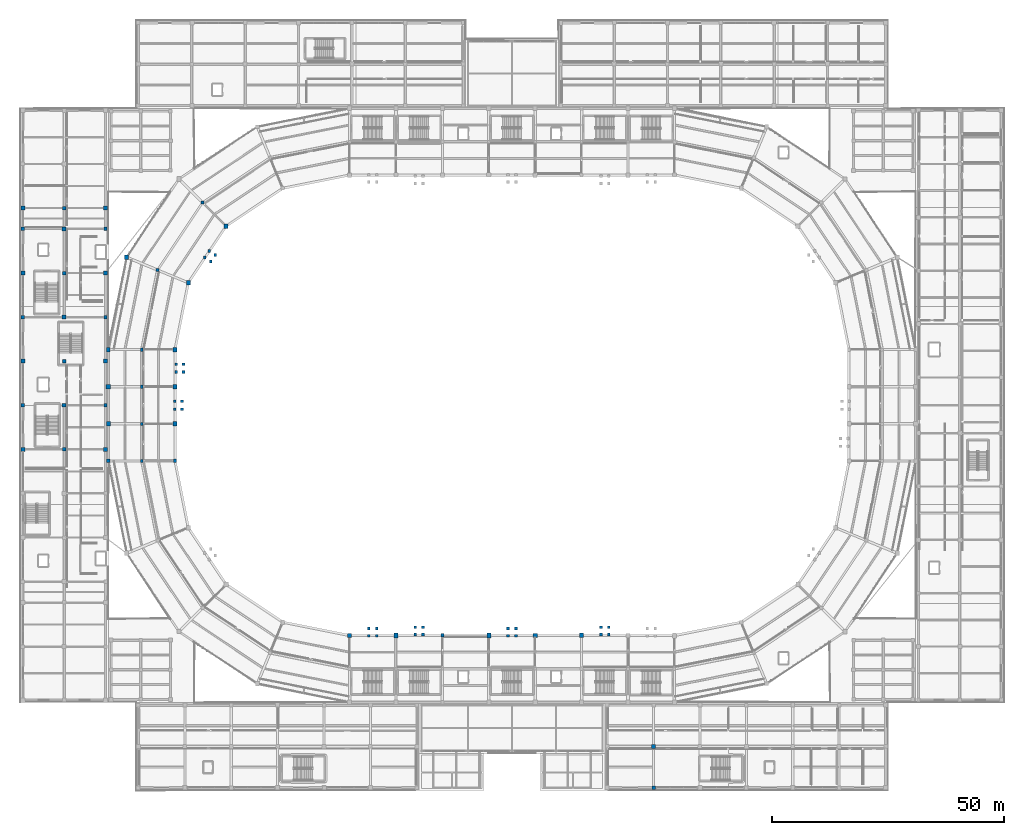
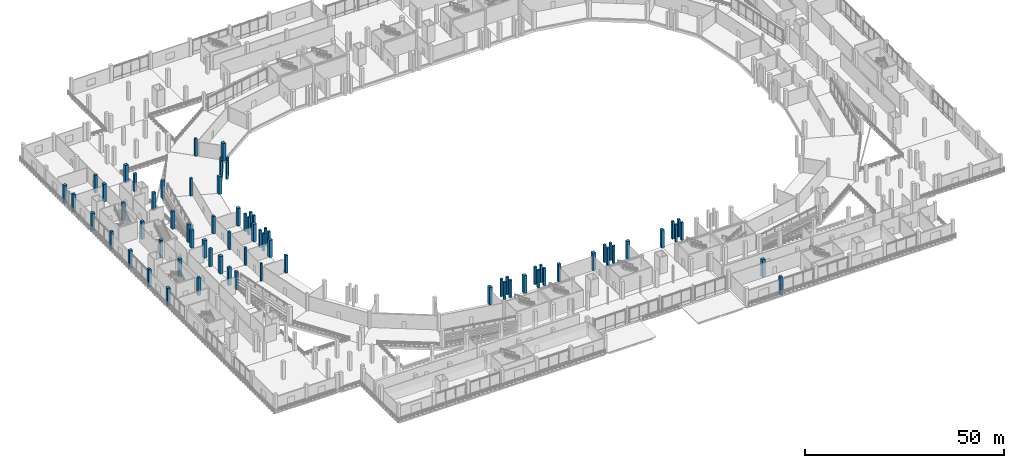
# One storey, part 4 of 114: 74 columns.
"""IFC4 building model written with IfcOpenShell, lengths in metres."""

import ifcopenshell
import ifcopenshell.guid

model = None  # the IFC model being written
_history = None  # IfcOwnerHistory: only IFC2X3 demands one
_inside = {}  # id of a spatial element -> (the spatial element, [elements in it])
_under = {}  # id of a project, library or spatial element -> (it, [spatial elements below it])
_declared = {}  # id of a project -> (the project, [libraries it declares])
_typed = {}  # id of a type object -> (the type object, [elements of that type])
_made_of = {}  # id of a material, layer set ... -> (it, [elements and type objects made of it])


def new_model(schema):
    """Start an empty IFC model of exactly this schema.

    Asked for "IFC4X3", IfcOpenShell would pick the latest addendum, in which some entities
    have other attributes; the version numbers below select the first issue.
    IFC2X3 requires an IfcOwnerHistory on every rooted entity: one is made here for all.
    """
    global model, _history
    if schema == "IFC4X3":
        model = ifcopenshell.file(schema_version=(4, 3, 0, 0))
    else:
        model = ifcopenshell.file(schema=schema)
    _inside.clear()
    _under.clear()
    _declared.clear()
    _typed.clear()
    _made_of.clear()
    _history = None
    if model.schema == "IFC2X3":
        org = make("IfcOrganization", Name="unknown")
        user = make(
            "IfcPersonAndOrganization",
            ThePerson=make("IfcPerson", FamilyName="unknown"),
            TheOrganization=org,
        )
        app = make(
            "IfcApplication",
            ApplicationDeveloper=org,
            Version="unknown",
            ApplicationFullName="unknown",
            ApplicationIdentifier="unknown",
        )
        _history = make(
            "IfcOwnerHistory",
            OwningUser=user,
            OwningApplication=app,
            ChangeAction="ADDED",
            CreationDate=0,
        )
    return model


def make(cls, **values):
    """One entity of the class cls with the attributes given. An attribute that is None is left unset."""
    return model.create_entity(
        cls, **{name: value for name, value in values.items() if value is not None}
    )


def rooted(cls, **values):
    """An entity with a GlobalId (a new one), such as an element, a storey or a relation."""
    return make(cls, GlobalId=ifcopenshell.guid.new(), OwnerHistory=_history, **values)


def si_unit(unit_type, name, prefix=None):
    """IfcSIUnit, for example si_unit("LENGTHUNIT", "METRE", prefix="MILLI")."""
    return make("IfcSIUnit", UnitType=unit_type, Prefix=prefix, Name=name)


def assignment(units):
    """IfcUnitAssignment: the units of a project."""
    return None if units is None else make("IfcUnitAssignment", Units=units)


def point(xyz):
    """IfcCartesianPoint."""
    return None if xyz is None else make("IfcCartesianPoint", Coordinates=xyz)


def direction(xyz):
    """IfcDirection."""
    return None if xyz is None else make("IfcDirection", DirectionRatios=xyz)


def frame(location, z_axis=None, x_axis=None):
    """IfcAxis2Placement3D, a coordinate frame: its origin and axes. An axis left out is left unset."""
    return make(
        "IfcAxis2Placement3D",
        Location=point(location),
        Axis=direction(z_axis),
        RefDirection=direction(x_axis),
    )


def frame_2d(location, x_axis=None):
    """IfcAxis2Placement2D, a coordinate frame in the plane: its origin and x axis."""
    return make(
        "IfcAxis2Placement2D", Location=point(location), RefDirection=direction(x_axis)
    )


def origin():
    """The frame at (0, 0, 0) with its axes left unset."""
    return frame((0.0, 0.0, 0.0))


def origin_2d():
    """The frame at (0, 0) in the plane with its x axis left unset."""
    return frame_2d((0.0, 0.0))


def place(relative_to, where):
    """IfcLocalPlacement: puts the frame where relative to a parent placement (None: the world)."""
    return make(
        "IfcLocalPlacement", PlacementRelTo=relative_to, RelativePlacement=where
    )


def context(
    kind, dimensions, precision=None, world=None, true_north=None, identifier=None
):
    """IfcGeometricRepresentationContext, for example the 3D "Model" context."""
    return make(
        "IfcGeometricRepresentationContext",
        ContextIdentifier=identifier,
        ContextType=kind,
        CoordinateSpaceDimension=dimensions,
        Precision=precision,
        WorldCoordinateSystem=world,
        TrueNorth=true_north,
    )


def subcontext(parent, identifier, kind, view, scale=None):
    """IfcGeometricRepresentationSubContext, for example "Body" below "Model"."""
    return make(
        "IfcGeometricRepresentationSubContext",
        ContextIdentifier=identifier,
        ContextType=kind,
        ParentContext=parent,
        TargetScale=scale,
        TargetView=view,
    )


def project(units=None, contexts=None):
    """IfcProject with its units and contexts."""
    return rooted(
        "IfcProject",
        Name="project",
        RepresentationContexts=contexts,
        UnitsInContext=assignment(units),
    )


def spatial(cls, under=None, at=None, **own):
    """A site, building, storey or space (cls), placed at a placement, below another one or the project."""
    s = rooted(cls, ObjectPlacement=at, **own)
    if under is not None:
        _under.setdefault(under.id(), (under, []))[1].append(s)
    return s


def profile(cls, at=None, kind="AREA", **sizes):
    """A parametric profile (cls). Its sizes go by their IFC names, for example OverallWidth=200.0."""
    return make(cls, ProfileType=kind, Position=at, **sizes)


def rectangle(**sizes):
    """IfcRectangleProfileDef."""
    return profile("IfcRectangleProfileDef", **sizes)


def extrude(swept, where, along, depth):
    """IfcExtrudedAreaSolid: the profile swept, set in the frame where, extruded along a direction by depth."""
    return make(
        "IfcExtrudedAreaSolid",
        SweptArea=swept,
        Position=where,
        ExtrudedDirection=direction(along),
        Depth=depth,
    )


def shape(context_of_items, identifier, shape_type, items):
    """IfcShapeRepresentation: the items that make up one representation, for example the "Body"."""
    return make(
        "IfcShapeRepresentation",
        ContextOfItems=context_of_items,
        RepresentationIdentifier=identifier,
        RepresentationType=shape_type,
        Items=items,
    )


def material(Name=None, Category=None):
    """IfcMaterial."""
    return make("IfcMaterial", Name=Name, Category=Category)


def material_profile(
    of_material, cross_section, Name=None, Category=None, Priority=None
):
    """IfcMaterialProfile: a cross section and its material."""
    return make(
        "IfcMaterialProfile",
        Name=Name,
        Material=of_material,
        Profile=cross_section,
        Priority=Priority,
        Category=Category,
    )


def profile_set(profiles, Name=None, composite=None):
    """IfcMaterialProfileSet."""
    return make(
        "IfcMaterialProfileSet",
        Name=Name,
        MaterialProfiles=profiles,
        CompositeProfile=composite,
    )


def made_of(thing, what):
    """Note that an element or type object is made of a material, layer set ...; save() writes the relation."""
    if what is not None:
        _made_of.setdefault(what.id(), (what, []))[1].append(thing)
    return thing


def type_object(cls, material=None, **own):
    """A type object (cls), such as IfcWallType, which elements share."""
    return made_of(rooted(cls, **own), material)


def element(
    cls,
    number,
    at=None,
    inside=None,
    cuts=None,
    type_object=None,
    material=None,
    context=None,
    identifier="Body",
    shape_type=None,
    held_by="IfcProductDefinitionShape",
    body=None,
    shapes=None,
    **own,
):
    """One element of the class cls, such as IfcWall. Its Tag is "e" and its number.

    at: its placement. inside: the storey or other place that contains it. cuts: it is an
    opening in that element (IfcRelVoidsElement). A single representation is given by context,
    identifier, shape_type and body (its items); several are given by shapes. held_by: the class
    of the entity that holds the representations. save() writes the other relations.
    """
    e = rooted(cls, Tag="e%d" % number, ObjectPlacement=at, **own)
    if body is not None:
        shapes = [shape(context, identifier, shape_type, body)]
    if shapes is not None:
        e.Representation = make(held_by, Representations=shapes)
    if inside is not None:
        _inside.setdefault(inside.id(), (inside, []))[1].append(e)
    if cuts is not None:
        rooted(
            "IfcRelVoidsElement", RelatingBuildingElement=cuts, RelatedOpeningElement=e
        )
    if type_object is not None:
        _typed.setdefault(type_object.id(), (type_object, []))[1].append(e)
    return made_of(e, material)


def aggregate(whole, parts):
    """IfcRelAggregates: a whole, such as a stair, and the parts it consists of."""
    return rooted("IfcRelAggregates", RelatingObject=whole, RelatedObjects=parts)


def save(model, path):
    """Write the relations noted so far, then the file.

    IfcRelAggregates (storeys below a building ...), IfcRelContainedInSpatialStructure (elements
    in a storey), IfcRelDefinesByType, IfcRelAssociatesMaterial and IfcRelDeclares: one each for
    every whole, place, type object, material and project.
    """
    for whole, parts in _under.values():
        aggregate(whole, parts)
    for where, things in _inside.values():
        rooted(
            "IfcRelContainedInSpatialStructure",
            RelatedElements=things,
            RelatingStructure=where,
        )
    for kind, things in _typed.values():
        rooted("IfcRelDefinesByType", RelatedObjects=things, RelatingType=kind)
    for what, things in _made_of.values():
        rooted("IfcRelAssociatesMaterial", RelatedObjects=things, RelatingMaterial=what)
    for by, libraries in _declared.values():
        rooted("IfcRelDeclares", RelatingContext=by, RelatedDefinitions=libraries)
    model.write(path)


model = new_model("IFC4")

# Units and contexts
model_context = context("Model", 3, precision=1e-05, world=origin(), true_north=direction((0.0, 1.0)))
body_context = subcontext(model_context, "Body", "Model", "MODEL_VIEW")
ifc_project = project(units=[si_unit("LENGTHUNIT", "METRE"), si_unit("AREAUNIT", "SQUARE_METRE"), si_unit("VOLUMEUNIT", "CUBIC_METRE"), si_unit("PLANEANGLEUNIT", "RADIAN"), si_unit("MASSUNIT", "GRAM", prefix="KILO")], contexts=[model_context])

# Site, building, storey
site_placement = place(None, origin())
site = spatial("IfcSite", under=ifc_project, at=site_placement, CompositionType="ELEMENT")
building_placement = place(site_placement, origin())
building = spatial("IfcBuilding", under=site, at=building_placement, Name="Candeia Ridge Stadium", CompositionType="ELEMENT")
storey_placement = place(building_placement, frame((0.0, 0.0, 5.39990234375)))
storey = spatial("IfcBuildingStorey", under=building, at=storey_placement, Name="L01", CompositionType="ELEMENT", Elevation=5.39990234375)

# Columns
ifc_material_1 = material(Name="Concrete C45/55", Category="concrete")
ifc_material_profile_1 = material_profile(ifc_material_1, rectangle(XDim=0.89990234375, YDim=0.89990234375, at=origin_2d()), Name="RC900x900", Category="concrete")
ifc_profile_set_1 = profile_set([ifc_material_profile_1], Name="Concrete C45/55")
column_type_1 = type_object("IfcColumnType", Name="Bowl Spine Column RC900x900", PredefinedType="COLUMN", material=ifc_profile_set_1)
for number, where, z_axis, x_axis, name in (
    (1, (36.26220703125, 109.388916015625, 0.0), (0.0, 0.0, 1.0), (1.0, 0.0, 0.0), "Structural column BC-MD-10 L01"),
    (2, (22.958251953125, 114.899658203125, 0.0), (0.0, 0.0, 1.0), (1.0, 0.0, 0.0), "Structural column BC-OU-10 L01"),
    (3, (33.39990234375, 87.0, 0.0), (0.0, 0.0, 1.0), (1.0, 0.0, 0.0), "Structural column BC-MD-12 L01"),
    (4, (19.0, 87.0, 0.0), (0.0, 0.0, 1.0), (1.0, 0.0, 0.0), "Structural column BC-OU-12 L01"),
    (5, (71.0, 33.39990234375, 0.0), (0.0, 0.0, 1.0), (1.0, 0.0, 0.0), "Structural column BC-MD-18 L01"),
    (6, (111.0, 33.39990234375, 0.0), (0.0, 0.0, 1.0), (1.0, 0.0, 0.0), "Structural column BC-MD-22 L01"),
):
    element("IfcColumn", number, at=place(storey_placement, frame(where, z_axis=z_axis, x_axis=x_axis)), inside=storey, type_object=column_type_1, Name=name, PredefinedType="COLUMN", context=body_context, shape_type="SweptSolid", body=[
        extrude(rectangle(XDim=0.89990234375, YDim=0.89990234375, at=origin_2d()), origin(), (0.0, 0.0, 1.0), 5.400146484375),
    ])
ifc_material_2 = material(Name="Concrete C40/50", Category="concrete")
ifc_material_profile_2 = material_profile(ifc_material_2, rectangle(XDim=0.47998046875, YDim=0.56005859375, at=origin_2d()), Name="RC480x560", Category="concrete")
ifc_profile_set_2 = profile_set([ifc_material_profile_2], Name="Concrete C40/50")
column_type_2 = type_object("IfcColumnType", Name="Graduated Frame Column RC480x560", PredefinedType="COLUMN", material=ifc_profile_set_2)
column_1_placement = place(storey_placement, frame((26.199951171875, 71.0, 0.0), z_axis=(0.0, 0.0, 1.0), x_axis=(1.0, 0.0, 0.0)))
element("IfcColumn", 7, at=column_1_placement, inside=storey, type_object=column_type_2, Name="Structural column BC-M2-14 L01", PredefinedType="COLUMN", context=body_context, shape_type="SweptSolid", body=[
    extrude(rectangle(XDim=0.47998046875, YDim=0.56005859375, at=origin_2d()), origin(), (0.0, 0.0, 1.0), 5.400146484375),
])
ifc_material_profile_3 = material_profile(ifc_material_2, rectangle(XDim=0.52001953125, YDim=0.6201171875, at=origin_2d()), Name="RC520x620", Category="concrete")
ifc_profile_set_3 = profile_set([ifc_material_profile_3], Name="Concrete C40/50")
column_type_3 = type_object("IfcColumnType", Name="Graduated Frame Column RC520x620", PredefinedType="COLUMN", material=ifc_profile_set_3)
column_2_placement = place(storey_placement, frame((26.199951171875, 79.0, 0.0), z_axis=(0.0, 0.0, 1.0), x_axis=(1.0, 0.0, 0.0)))
element("IfcColumn", 8, at=column_2_placement, inside=storey, type_object=column_type_3, Name="Structural column BC-M2-13 L01", PredefinedType="COLUMN", context=body_context, shape_type="SweptSolid", body=[
    extrude(rectangle(XDim=0.52001953125, YDim=0.6201171875, at=origin_2d()), origin(), (0.0, 0.0, 1.0), 5.400146484375),
])
ifc_material_profile_4 = material_profile(ifc_material_2, rectangle(XDim=0.580078125, YDim=0.580078125, at=origin_2d()), Name="RC580x580", Category="concrete")
ifc_profile_set_4 = profile_set([ifc_material_profile_4], Name="Concrete C40/50")
column_type_4 = type_object("IfcColumnType", Name="Graduated Frame Column RC580x580", PredefinedType="COLUMN", material=ifc_profile_set_4)
column_3_placement = place(storey_placement, frame((29.610107421875, 112.144287109375, 0.0), z_axis=(0.0, 0.0, 1.0), x_axis=(1.0, 0.0, 0.0)))
element("IfcColumn", 9, at=column_3_placement, inside=storey, type_object=column_type_4, Name="Structural column BC-M2-10 L01", PredefinedType="COLUMN", context=body_context, shape_type="SweptSolid", body=[
    extrude(rectangle(XDim=0.580078125, YDim=0.580078125, at=origin_2d()), origin(), (0.0, 0.0, 1.0), 5.400146484375),
])
ifc_material_profile_5 = material_profile(ifc_material_2, rectangle(XDim=0.580078125, YDim=0.679931640625, at=origin_2d()), Name="RC580x680", Category="concrete")
ifc_profile_set_5 = profile_set([ifc_material_profile_5], Name="Concrete C40/50")
column_type_5 = type_object("IfcColumnType", Name="Graduated Frame Column RC580x680", PredefinedType="COLUMN", material=ifc_profile_set_5)
column_4_placement = place(storey_placement, frame((26.199951171875, 87.0, 0.0), z_axis=(0.0, 0.0, 1.0), x_axis=(1.0, 0.0, 0.0)))
element("IfcColumn", 10, at=column_4_placement, inside=storey, type_object=column_type_5, Name="Structural column BC-M2-12 L01", PredefinedType="COLUMN", context=body_context, shape_type="SweptSolid", body=[
    extrude(rectangle(XDim=0.580078125, YDim=0.679931640625, at=origin_2d()), origin(), (0.0, 0.0, 1.0), 5.400146484375),
])
ifc_material_profile_6 = material_profile(ifc_material_2, rectangle(XDim=0.6201171875, YDim=0.6201171875, at=origin_2d()), Name="RC620x620", Category="concrete")
ifc_profile_set_6 = profile_set([ifc_material_profile_6], Name="Concrete C40/50")
column_type_6 = type_object("IfcColumnType", Name="Graduated Frame Column RC620x620", PredefinedType="COLUMN", material=ifc_profile_set_6)
column_5_placement = place(storey_placement, frame((39.321533203125, 126.678466796875, 0.0), z_axis=(0.0, 0.0, 1.0), x_axis=(1.0, 0.0, 0.0)))
element("IfcColumn", 11, at=column_5_placement, inside=storey, type_object=column_type_6, Name="Structural column BC-M2-09 L01", PredefinedType="COLUMN", context=body_context, shape_type="SweptSolid", body=[
    extrude(rectangle(XDim=0.6201171875, YDim=0.6201171875, at=origin_2d()), origin(), (0.0, 0.0, 1.0), 5.400146484375),
])
ifc_material_profile_7 = material_profile(ifc_material_2, rectangle(XDim=0.6201171875, YDim=0.719970703125, at=origin_2d()), Name="RC620x720", Category="concrete")
ifc_profile_set_7 = profile_set([ifc_material_profile_7], Name="Concrete C40/50")
column_type_7 = type_object("IfcColumnType", Name="Graduated Frame Column RC620x720", PredefinedType="COLUMN", material=ifc_profile_set_7)
column_6_placement = place(storey_placement, frame((26.199951171875, 95.0, 0.0), z_axis=(0.0, 0.0, 1.0), x_axis=(1.0, 0.0, 0.0)))
element("IfcColumn", 12, at=column_6_placement, inside=storey, type_object=column_type_7, Name="Structural column BC-M2-11 L01", PredefinedType="COLUMN", context=body_context, shape_type="SweptSolid", body=[
    extrude(rectangle(XDim=0.6201171875, YDim=0.719970703125, at=origin_2d()), origin(), (0.0, 0.0, 1.0), 5.400146484375),
])
ifc_material_profile_8 = material_profile(ifc_material_2, rectangle(XDim=0.679931640625, YDim=0.760009765625, at=origin_2d()), Name="RC680x760", Category="concrete")
ifc_profile_set_8 = profile_set([ifc_material_profile_8], Name="Concrete C40/50")
column_type_8 = type_object("IfcColumnType", Name="Graduated Frame Column RC680x760", PredefinedType="COLUMN", material=ifc_profile_set_8)
for number, where, z_axis, x_axis, name in (
    (13, (33.39990234375, 71.0, 0.0), (0.0, 0.0, 1.0), (1.0, 0.0, 0.0), "Structural column BC-MD-14 L01"),
    (14, (19.0, 71.0, 0.0), (0.0, 0.0, 1.0), (1.0, 0.0, 0.0), "Structural column BC-OU-14 L01"),
    (15, (91.0, 33.39990234375, 0.0), (0.0, 0.0, 1.0), (1.0, 0.0, 0.0), "Structural column BC-MD-20 L01"),
):
    element("IfcColumn", number, at=place(storey_placement, frame(where, z_axis=z_axis, x_axis=x_axis)), inside=storey, type_object=column_type_8, Name=name, PredefinedType="COLUMN", context=body_context, shape_type="SweptSolid", body=[
        extrude(rectangle(XDim=0.679931640625, YDim=0.760009765625, at=origin_2d()), origin(), (0.0, 0.0, 1.0), 5.400146484375),
    ])
ifc_material_profile_9 = material_profile(ifc_material_1, rectangle(XDim=0.820068359375, YDim=0.949951171875, at=origin_2d()), Name="RC820x950", Category="concrete")
ifc_profile_set_9 = profile_set([ifc_material_profile_9], Name="Concrete C45/55")
column_type_9 = type_object("IfcColumnType", Name="Graduated Frame Column RC820x950", PredefinedType="COLUMN", material=ifc_profile_set_9)
for number, where, z_axis, x_axis, name in (
    (16, (33.39990234375, 95.0, 0.0), (0.0, 0.0, 1.0), (1.0, 0.0, 0.0), "Structural column BC-MD-11 L01"),
    (17, (19.0, 95.0, 0.0), (0.0, 0.0, 1.0), (1.0, 0.0, 0.0), "Structural column BC-OU-11 L01"),
    (18, (121.0, 33.39990234375, 0.0), (0.0, 0.0, 1.0), (1.0, 0.0, 0.0), "Structural column BC-MD-23 L01"),
):
    element("IfcColumn", number, at=place(storey_placement, frame(where, z_axis=z_axis, x_axis=x_axis)), inside=storey, type_object=column_type_9, Name=name, PredefinedType="COLUMN", context=body_context, shape_type="SweptSolid", body=[
        extrude(rectangle(XDim=0.820068359375, YDim=0.949951171875, at=origin_2d()), origin(), (0.0, 0.0, 1.0), 5.400146484375),
    ])
ifc_material_profile_10 = material_profile(ifc_material_2, rectangle(XDim=0.75, YDim=0.75, at=origin_2d()), Name="RC750x750", Category="concrete")
ifc_profile_set_10 = profile_set([ifc_material_profile_10], Name="Concrete C40/50")
column_type_10 = type_object("IfcColumnType", Name="Reinforced Concrete Column RC750x750", PredefinedType="COLUMN", material=ifc_profile_set_10)
for number, where, z_axis, x_axis, name in (
    (19, (0.60009765625, 83.0, 0.0), (0.0, 0.0, 1.0), (1.0, 0.0, 0.0), "Structural column WP-00-07 L01"),
    (20, (0.60009765625, 102.0, 0.0), (0.0, 0.0, 1.0), (1.0, 0.0, 0.0), "Structural column WP-00-09 L01"),
    (21, (0.60009765625, 121.0, 0.0), (0.0, 0.0, 1.0), (1.0, 0.0, 0.0), "Structural column WP-00-11 L01"),
    (22, (9.5, 73.5, 0.0), (0.0, 0.0, 1.0), (1.0, 0.0, 0.0), "Structural column WP-01-06 L01"),
    (23, (9.5, 92.5, 0.0), (0.0, 0.0, 1.0), (1.0, 0.0, 0.0), "Structural column WP-01-08 L01"),
    (24, (9.5, 111.5, 0.0), (0.0, 0.0, 1.0), (1.0, 0.0, 0.0), "Structural column WP-01-10 L01"),
    (25, (9.5, 125.5, 0.0), (0.0, 0.0, 1.0), (1.0, 0.0, 0.0), "Structural column WP-01-12 L01"),
    (26, (18.39990234375, 83.0, 0.0), (0.0, 0.0, 1.0), (1.0, 0.0, 0.0), "Structural column WP-02-07 L01"),
    (27, (18.39990234375, 102.0, 0.0), (0.0, 0.0, 1.0), (1.0, 0.0, 0.0), "Structural column WP-02-09 L01"),
    (28, (18.39990234375, 121.0, 0.0), (0.0, 0.0, 1.0), (1.0, 0.0, 0.0), "Structural column WP-02-11 L01"),
    (29, (136.5, 0.60009765625, 0.0), (0.0, 0.0, 1.0), (1.0, 0.0, 0.0), "Structural column SWE-01-00 L01"),
):
    element("IfcColumn", number, at=place(storey_placement, frame(where, z_axis=z_axis, x_axis=x_axis)), inside=storey, type_object=column_type_10, Name=name, PredefinedType="COLUMN", context=body_context, shape_type="SweptSolid", body=[
        extrude(rectangle(XDim=0.75, YDim=0.75, at=origin_2d()), origin(), (0.0, 0.0, 1.0), 5.400146484375),
    ])
ifc_material_profile_11 = material_profile(ifc_material_1, rectangle(XDim=0.85009765625, YDim=1.0, at=origin_2d()), Name="RC850x1000", Category="concrete")
ifc_profile_set_11 = profile_set([ifc_material_profile_11], Name="Concrete C45/55")
column_type_11 = type_object("IfcColumnType", Name="Reinforced Concrete Column RC850x1000", PredefinedType="COLUMN", material=ifc_profile_set_11)
for number, where, z_axis, x_axis, name in (
    (30, (44.412841796875, 121.587158203125, 0.0), (0.0, 0.0, 1.0), (1.0, 0.0, 0.0), "Structural column BC-MD-09 L01"),
    (31, (33.39990234375, 79.0, 0.0), (0.0, 0.0, 1.0), (1.0, 0.0, 0.0), "Structural column BC-MD-13 L01"),
    (32, (19.0, 79.0, 0.0), (0.0, 0.0, 1.0), (1.0, 0.0, 0.0), "Structural column BC-OU-13 L01"),
    (33, (81.0, 33.39990234375, 0.0), (0.0, 0.0, 1.0), (1.0, 0.0, 0.0), "Structural column BC-MD-19 L01"),
    (34, (101.0, 33.39990234375, 0.0), (0.0, 0.0, 1.0), (1.0, 0.0, 0.0), "Structural column BC-MD-21 L01"),
):
    element("IfcColumn", number, at=place(storey_placement, frame(where, z_axis=z_axis, x_axis=x_axis)), inside=storey, type_object=column_type_11, Name=name, PredefinedType="COLUMN", context=body_context, shape_type="SweptSolid", body=[
        extrude(rectangle(XDim=0.85009765625, YDim=1.0, at=origin_2d()), origin(), (0.0, 0.0, 1.0), 5.400146484375),
    ])
ifc_material_profile_12 = material_profile(ifc_material_1, rectangle(XDim=0.85009765625, YDim=0.85009765625, at=origin_2d()), Name="RC850x850", Category="concrete")
ifc_profile_set_12 = profile_set([ifc_material_profile_12], Name="Concrete C45/55")
column_type_12 = type_object("IfcColumnType", Name="Reinforced Concrete Column RC850x850", PredefinedType="COLUMN", material=ifc_profile_set_12)
for number, where, z_axis, x_axis, name in (
    (35, (0.60009765625, 73.5, 0.0), (0.0, 0.0, 1.0), (1.0, 0.0, 0.0), "Structural column WP-00-06 L01"),
    (36, (0.60009765625, 92.5, 0.0), (0.0, 0.0, 1.0), (1.0, 0.0, 0.0), "Structural column WP-00-08 L01"),
    (37, (0.60009765625, 111.5, 0.0), (0.0, 0.0, 1.0), (1.0, 0.0, 0.0), "Structural column WP-00-10 L01"),
    (38, (0.60009765625, 125.5, 0.0), (0.0, 0.0, 1.0), (1.0, 0.0, 0.0), "Structural column WP-00-12 L01"),
    (39, (9.5, 83.0, 0.0), (0.0, 0.0, 1.0), (1.0, 0.0, 0.0), "Structural column WP-01-07 L01"),
    (40, (9.5, 102.0, 0.0), (0.0, 0.0, 1.0), (1.0, 0.0, 0.0), "Structural column WP-01-09 L01"),
    (41, (9.5, 121.0, 0.0), (0.0, 0.0, 1.0), (1.0, 0.0, 0.0), "Structural column WP-01-11 L01"),
    (42, (18.39990234375, 73.5, 0.0), (0.0, 0.0, 1.0), (1.0, 0.0, 0.0), "Structural column WP-02-06 L01"),
    (43, (18.39990234375, 92.5, 0.0), (0.0, 0.0, 1.0), (1.0, 0.0, 0.0), "Structural column WP-02-08 L01"),
    (44, (18.39990234375, 111.5, 0.0), (0.0, 0.0, 1.0), (1.0, 0.0, 0.0), "Structural column WP-02-10 L01"),
    (45, (18.39990234375, 125.5, 0.0), (0.0, 0.0, 1.0), (1.0, 0.0, 0.0), "Structural column WP-02-12 L01"),
    (46, (136.5, 9.5, 0.0), (0.0, 0.0, 1.0), (1.0, 0.0, 0.0), "Structural column SWE-01-01 L01"),
):
    element("IfcColumn", number, at=place(storey_placement, frame(where, z_axis=z_axis, x_axis=x_axis)), inside=storey, type_object=column_type_12, Name=name, PredefinedType="COLUMN", context=body_context, shape_type="SweptSolid", body=[
        extrude(rectangle(XDim=0.85009765625, YDim=0.85009765625, at=origin_2d()), origin(), (0.0, 0.0, 1.0), 5.400146484375),
    ])
ifc_material_profile_13 = material_profile(ifc_material_2, rectangle(XDim=0.60009765625, YDim=0.60009765625, at=origin_2d()), Name="RC600x600", Category="concrete")
ifc_profile_set_13 = profile_set([ifc_material_profile_13], Name="Concrete C40/50")
column_type_13 = type_object("IfcColumnType", Name="Wing Column RC600x600", PredefinedType="COLUMN", material=ifc_profile_set_13)
for number, where, z_axis, x_axis, name in (
    (47, (33.6298828125, 90.14990234375, 0.0), (0.0, 0.0, 1.0), (1.0, 0.0, 0.0), "Vomitory VS21 landing support column 1 L01"),
    (48, (35.179931640625, 90.14990234375, 0.0), (0.0, 0.0, 1.0), (1.0, 0.0, 0.0), "Vomitory VS21 landing support column 2 L01"),
    (49, (35.179931640625, 91.85009765625, 0.0), (0.0, 0.0, 1.0), (1.0, 0.0, 0.0), "Vomitory VS21 landing support column 3 L01"),
    (50, (33.6298828125, 91.85009765625, 0.0), (0.0, 0.0, 1.0), (1.0, 0.0, 0.0), "Vomitory VS21 landing support column 4 L01"),
    (51, (86.85009765625, 33.6298828125, 0.0), (0.0, 0.0, 1.0), (1.0, 0.0, 0.0), "Vomitory VS22 landing support column 1 L01"),
    (52, (86.85009765625, 35.179931640625, 0.0), (0.0, 0.0, 1.0), (1.0, 0.0, 0.0), "Vomitory VS22 landing support column 2 L01"),
    (53, (85.14990234375, 35.179931640625, 0.0), (0.0, 0.0, 1.0), (1.0, 0.0, 0.0), "Vomitory VS22 landing support column 3 L01"),
    (54, (85.14990234375, 33.6298828125, 0.0), (0.0, 0.0, 1.0), (1.0, 0.0, 0.0), "Vomitory VS22 landing support column 4 L01"),
    (55, (126.85009765625, 33.6298828125, 0.0), (0.0, 0.0, 1.0), (1.0, 0.0, 0.0), "Vomitory VS23 landing support column 1 L01"),
    (56, (126.85009765625, 35.179931640625, 0.0), (0.0, 0.0, 1.0), (1.0, 0.0, 0.0), "Vomitory VS23 landing support column 2 L01"),
    (57, (125.14990234375, 35.179931640625, 0.0), (0.0, 0.0, 1.0), (1.0, 0.0, 0.0), "Vomitory VS23 landing support column 3 L01"),
    (58, (125.14990234375, 33.6298828125, 0.0), (0.0, 0.0, 1.0), (1.0, 0.0, 0.0), "Vomitory VS23 landing support column 4 L01"),
    (59, (39.803955078125, 114.822265625, 0.0), (0.0, 0.0, 1.0), (1.0, 0.0, 0.0), "Vomitory VS28 landing support column 1 L01"),
    (60, (41.0927734375, 113.961181640625, 0.0), (0.0, 0.0, 1.0), (1.0, 0.0, 0.0), "Vomitory VS28 landing support column 2 L01"),
    (61, (42.037109375, 115.37451171875, 0.0), (0.0, 0.0, 1.0), (1.0, 0.0, 0.0), "Vomitory VS28 landing support column 3 L01"),
    (62, (40.748291015625, 116.23583984375, 0.0), (0.0, 0.0, 1.0), (1.0, 0.0, 0.0), "Vomitory VS28 landing support column 4 L01"),
    (63, (33.318115234375, 82.14990234375, 0.0), (0.0, 0.0, 1.0), (1.0, 0.0, 0.0), "Vomitory VS29 landing support column 1 L01"),
    (64, (34.867919921875, 82.14990234375, 0.0), (0.0, 0.0, 1.0), (1.0, 0.0, 0.0), "Vomitory VS29 landing support column 2 L01"),
    (65, (34.867919921875, 83.85009765625, 0.0), (0.0, 0.0, 1.0), (1.0, 0.0, 0.0), "Vomitory VS29 landing support column 3 L01"),
    (66, (33.318115234375, 83.85009765625, 0.0), (0.0, 0.0, 1.0), (1.0, 0.0, 0.0), "Vomitory VS29 landing support column 4 L01"),
    (67, (76.85009765625, 33.318115234375, 0.0), (0.0, 0.0, 1.0), (1.0, 0.0, 0.0), "Vomitory VS31 landing support column 1 L01"),
    (68, (76.85009765625, 34.867919921875, 0.0), (0.0, 0.0, 1.0), (1.0, 0.0, 0.0), "Vomitory VS31 landing support column 2 L01"),
    (69, (75.14990234375, 34.867919921875, 0.0), (0.0, 0.0, 1.0), (1.0, 0.0, 0.0), "Vomitory VS31 landing support column 3 L01"),
    (70, (75.14990234375, 33.318115234375, 0.0), (0.0, 0.0, 1.0), (1.0, 0.0, 0.0), "Vomitory VS31 landing support column 4 L01"),
    (71, (106.85009765625, 33.318115234375, 0.0), (0.0, 0.0, 1.0), (1.0, 0.0, 0.0), "Vomitory VS32 landing support column 1 L01"),
    (72, (106.85009765625, 34.867919921875, 0.0), (0.0, 0.0, 1.0), (1.0, 0.0, 0.0), "Vomitory VS32 landing support column 2 L01"),
    (73, (105.14990234375, 34.867919921875, 0.0), (0.0, 0.0, 1.0), (1.0, 0.0, 0.0), "Vomitory VS32 landing support column 3 L01"),
    (74, (105.14990234375, 33.318115234375, 0.0), (0.0, 0.0, 1.0), (1.0, 0.0, 0.0), "Vomitory VS32 landing support column 4 L01"),
):
    element("IfcColumn", number, at=place(storey_placement, frame(where, z_axis=z_axis, x_axis=x_axis)), inside=storey, type_object=column_type_13, Name=name, PredefinedType="COLUMN", context=body_context, shape_type="SweptSolid", body=[
        extrude(rectangle(XDim=0.60009765625, YDim=0.60009765625, at=origin_2d()), origin(), (0.0, 0.0, 1.0), 5.400146484375),
    ])

save(model, "model.ifc")
